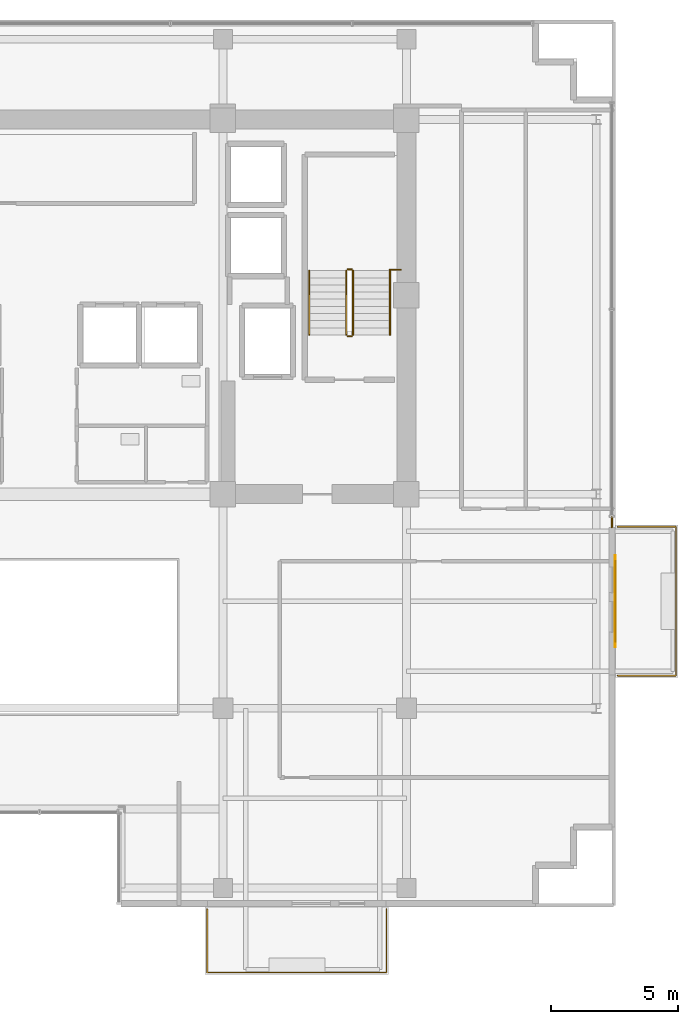
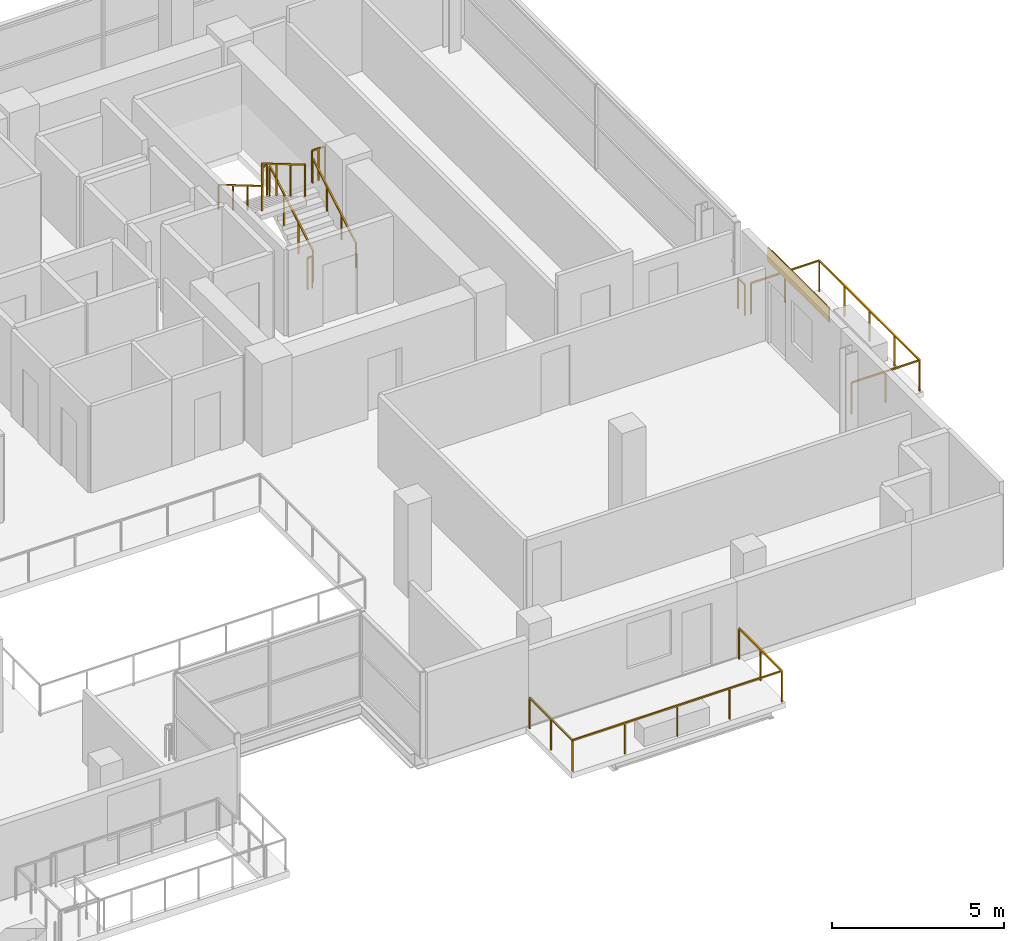
# One storey, part 22 of 23: 10 railings, 1 covering, 1 shading device.
"""IFC4 building model written with IfcOpenShell, lengths in metres."""

from ifc_helpers import new_model, si_unit, direction, frame, origin, origin_2d, place, context, subcontext, project, spatial, rectangle, extrude, source, transform, mapped, material, layer, layer_set, type_object, element, save


model = new_model("IFC4")

# Units and contexts
model_context = context("Model", 3, precision=1e-05, world=origin(), true_north=direction((0.0, 1.0)))
body_context = subcontext(model_context, "Body", "Model", "MODEL_VIEW")
ifc_project = project(units=[si_unit("LENGTHUNIT", "METRE"), si_unit("AREAUNIT", "SQUARE_METRE"), si_unit("VOLUMEUNIT", "CUBIC_METRE"), si_unit("PLANEANGLEUNIT", "RADIAN"), si_unit("MASSUNIT", "GRAM", prefix="KILO")], contexts=[model_context])

# Site, building, storey
site_placement = place(None, origin())
site = spatial("IfcSite", under=ifc_project, at=site_placement, CompositionType="ELEMENT")
building_placement = place(site_placement, origin())
building = spatial("IfcBuilding", under=site, at=building_placement, Name="Zarnakvel Exchange Tower", CompositionType="ELEMENT")
storey_placement = place(building_placement, frame((0.0, 0.0, 149.5)))
storey = spatial("IfcBuildingStorey", under=building, at=storey_placement, Name="L41", CompositionType="ELEMENT", Elevation=149.5)

# Railings
ifc_material_1 = material(Name="Architectural Bronze Anodised Aluminium", Category="aluminium")
railing_type_1 = type_object("IfcRailingType", Name="GR-02", PredefinedType="GUARDRAIL", material=ifc_material_1)
railing_1_placement = place(storey_placement, frame((6.580078125, -17.47998046875, -0.034912109375)))
element("IfcRailing", 1, at=railing_1_placement, inside=storey, type_object=railing_type_1, Name="L41 Balcony Guardrail BAL-L41-SE", PredefinedType="GUARDRAIL", context=body_context, shape_type="SweptSolid", body=[
    extrude(rectangle(XDim=0.048095703125, YDim=0.048095703125, at=origin_2d()), frame((0.0, 0.0, 1.09619140625), z_axis=(0.0, -1.0, 0.0), x_axis=(1.0, 0.0, 0.0)), (0.0, 0.0, 1.0), 2.489990234375),
    extrude(rectangle(XDim=0.048095703125, YDim=0.048095703125, at=origin_2d()), frame((0.0, -2.489990234375, 1.09619140625), z_axis=(1.0, 0.0, 0.0), x_axis=(0.0, 1.0, 0.0)), (0.0, 0.0, 1.0), 7.0400390625),
    extrude(rectangle(XDim=0.048095703125, YDim=0.048095703125, at=origin_2d()), frame((7.0400390625, -2.489990234375, 1.09619140625), z_axis=(0.0, 1.0, 0.0), x_axis=(-1.0, 0.0, 0.0)), (0.0, 0.0, 1.0), 2.489990234375),
    extrude(rectangle(XDim=0.0419921875, YDim=0.0419921875, at=origin_2d()), origin(), (0.0, 0.0, 1.0), 1.072021484375),
    extrude(rectangle(XDim=0.0419921875, YDim=0.0419921875, at=origin_2d()), frame((0.0, -1.2451171875, 0.0)), (0.0, 0.0, 1.0), 1.072021484375),
    extrude(rectangle(XDim=0.0419921875, YDim=0.0419921875, at=origin_2d()), frame((0.0, -2.489990234375, 0.0)), (0.0, 0.0, 1.0), 1.072021484375),
    extrude(rectangle(XDim=0.0419921875, YDim=0.0419921875, at=origin_2d()), frame((1.760009765625, -2.489990234375, 0.0)), (0.0, 0.0, 1.0), 1.072021484375),
    extrude(rectangle(XDim=0.0419921875, YDim=0.0419921875, at=origin_2d()), frame((3.52001953125, -2.489990234375, 0.0)), (0.0, 0.0, 1.0), 1.072021484375),
    extrude(rectangle(XDim=0.0419921875, YDim=0.0419921875, at=origin_2d()), frame((5.280029296875, -2.489990234375, 0.0)), (0.0, 0.0, 1.0), 1.072021484375),
    extrude(rectangle(XDim=0.0419921875, YDim=0.0419921875, at=origin_2d()), frame((7.0400390625, -2.489990234375, 0.0)), (0.0, 0.0, 1.0), 1.072021484375),
    extrude(rectangle(XDim=0.0419921875, YDim=0.0419921875, at=origin_2d()), frame((7.0400390625, -1.2451171875, 0.0)), (0.0, 0.0, 1.0), 1.072021484375),
    extrude(rectangle(XDim=0.0419921875, YDim=0.0419921875, at=origin_2d()), frame((7.0400390625, 0.0, 0.0)), (0.0, 0.0, 1.0), 1.072021484375),
])
railing_2_placement = place(storey_placement, frame((22.679931640625, -8.320068359375, -0.034912109375)))
element("IfcRailing", 2, at=railing_2_placement, inside=storey, type_object=railing_type_1, Name="L41 Balcony Guardrail BAL-L41-E", PredefinedType="GUARDRAIL", context=body_context, shape_type="SweptSolid", body=[
    extrude(rectangle(XDim=0.048095703125, YDim=0.048095703125, at=origin_2d()), frame((0.0, 0.0, 1.09619140625), z_axis=(1.0, 0.0, 0.0), x_axis=(0.0, 1.0, 0.0)), (0.0, 0.0, 1.0), 2.2900390625),
    extrude(rectangle(XDim=0.048095703125, YDim=0.048095703125, at=origin_2d()), frame((2.2900390625, 0.0, 1.09619140625), z_axis=(0.0, 1.0, 0.0), x_axis=(-1.0, 0.0, 0.0)), (0.0, 0.0, 1.0), 5.840087890625),
    extrude(rectangle(XDim=0.048095703125, YDim=0.048095703125, at=origin_2d()), frame((2.2900390625, 5.840087890625, 1.09619140625), z_axis=(-1.0, 0.0, 0.0), x_axis=(0.0, -1.0, 0.0)), (0.0, 0.0, 1.0), 2.2900390625),
    extrude(rectangle(XDim=0.0419921875, YDim=0.0419921875, at=origin_2d()), origin(), (0.0, 0.0, 1.0), 1.072021484375),
    extrude(rectangle(XDim=0.0419921875, YDim=0.0419921875, at=origin_2d()), frame((1.14501953125, 0.0, 0.0)), (0.0, 0.0, 1.0), 1.072021484375),
    extrude(rectangle(XDim=0.0419921875, YDim=0.0419921875, at=origin_2d()), frame((2.2900390625, 0.0, 0.0)), (0.0, 0.0, 1.0), 1.072021484375),
    extrude(rectangle(XDim=0.0419921875, YDim=0.0419921875, at=origin_2d()), frame((2.2900390625, 1.4599609375, 0.0)), (0.0, 0.0, 1.0), 1.072021484375),
    extrude(rectangle(XDim=0.0419921875, YDim=0.0419921875, at=origin_2d()), frame((2.2900390625, 2.919921875, 0.0)), (0.0, 0.0, 1.0), 1.072021484375),
    extrude(rectangle(XDim=0.0419921875, YDim=0.0419921875, at=origin_2d()), frame((2.2900390625, 4.380126953125, 0.0)), (0.0, 0.0, 1.0), 1.072021484375),
    extrude(rectangle(XDim=0.0419921875, YDim=0.0419921875, at=origin_2d()), frame((2.2900390625, 5.840087890625, 0.0)), (0.0, 0.0, 1.0), 1.072021484375),
    extrude(rectangle(XDim=0.0419921875, YDim=0.0419921875, at=origin_2d()), frame((1.14501953125, 5.840087890625, 0.0)), (0.0, 0.0, 1.0), 1.072021484375),
    extrude(rectangle(XDim=0.0419921875, YDim=0.0419921875, at=origin_2d()), frame((0.0, 5.840087890625, 0.0)), (0.0, 0.0, 1.0), 1.072021484375),
])
railing_3_placement = place(storey_placement, frame((22.4599609375, -2.10009765625, 0.0)))
element("IfcRailing", 3, at=railing_3_placement, inside=storey, type_object=railing_type_1, Name="L41 Corner Spandrel Balustrade #9", PredefinedType="GUARDRAIL", context=body_context, shape_type="SweptSolid", body=[
    extrude(rectangle(XDim=0.048095703125, YDim=0.048095703125, at=origin_2d()), frame((0.0, 0.0, 1.09619140625), z_axis=(0.0, -1.0, 0.0), x_axis=(1.0, 0.0, 0.0)), (0.0, 0.0, 1.0), 0.39990234375),
    extrude(rectangle(XDim=0.0419921875, YDim=0.0419921875, at=origin_2d()), origin(), (0.0, 0.0, 1.0), 1.072021484375),
    extrude(rectangle(XDim=0.0419921875, YDim=0.0419921875, at=origin_2d()), frame((0.0, -0.39990234375, 0.0)), (0.0, 0.0, 1.0), 1.072021484375),
])
ifc_material_2 = material(Name="Brushed Stainless Steel", Category="steel")
railing_type_2 = type_object("IfcRailingType", Name="HR-01", PredefinedType="HANDRAIL", material=ifc_material_2)
railing_4_placement = place(storey_placement, frame((13.75, 5.050048828125, 0.1650390625)))
element("IfcRailing", 4, at=railing_4_placement, inside=storey, type_object=railing_type_2, Name="L41 ST-02 stair handrail 1", PredefinedType="HANDRAIL", context=body_context, shape_type="SweptSolid", body=[
    extrude(rectangle(XDim=0.048095703125, YDim=0.048095703125, at=origin_2d()), frame((0.0, 0.0, 0.8759765625), z_axis=(0.0, 0.861560626758, 0.507654692109), x_axis=(-1.0, 0.0, 0.0)), (0.0, 0.0, 1.0), 2.925048828125),
    extrude(rectangle(XDim=0.0419921875, YDim=0.0419921875, at=origin_2d()), origin(), (0.0, 0.0, 1.0), 0.851806640625),
    extrude(rectangle(XDim=0.0419921875, YDim=0.0419921875, at=origin_2d()), frame((0.0, 0.840087890625, 0.494873046875)), (0.0, 0.0, 1.0), 0.851806640625),
    extrude(rectangle(XDim=0.0419921875, YDim=0.0419921875, at=origin_2d()), frame((0.0, 1.679931640625, 0.989990234375)), (0.0, 0.0, 1.0), 0.851806640625),
    extrude(rectangle(XDim=0.0419921875, YDim=0.0419921875, at=origin_2d()), frame((0.0, 2.52001953125, 1.48486328125)), (0.0, 0.0, 1.0), 0.851806640625),
])
railing_5_placement = place(storey_placement, frame((10.590087890625, 7.570068359375, 1.81494140625)))
element("IfcRailing", 5, at=railing_5_placement, inside=storey, type_object=railing_type_2, Name="L41 ST-02 stair handrail 2", PredefinedType="HANDRAIL", context=body_context, shape_type="SweptSolid", body=[
    extrude(rectangle(XDim=0.048095703125, YDim=0.048095703125, at=origin_2d()), frame((0.0, 0.0, 0.8759765625), z_axis=(0.0, -0.86152411907, 0.507716645641), x_axis=(1.0, 0.0, 0.0)), (0.0, 0.0, 1.0), 2.925048828125),
    extrude(rectangle(XDim=0.0419921875, YDim=0.0419921875, at=origin_2d()), origin(), (0.0, 0.0, 1.0), 0.851806640625),
    extrude(rectangle(XDim=0.0419921875, YDim=0.0419921875, at=origin_2d()), frame((0.0, -0.840087890625, 0.4951171875)), (0.0, 0.0, 1.0), 0.851806640625),
    extrude(rectangle(XDim=0.0419921875, YDim=0.0419921875, at=origin_2d()), frame((0.0, -1.679931640625, 0.989990234375)), (0.0, 0.0, 1.0), 0.851806640625),
    extrude(rectangle(XDim=0.0419921875, YDim=0.0419921875, at=origin_2d()), frame((0.0, -2.52001953125, 1.485107421875)), (0.0, 0.0, 1.0), 0.851806640625),
])
railing_type_3 = type_object("IfcRailingType", Name="SG-01", PredefinedType="GUARDRAIL", material=ifc_material_1)
railing_6_placement = place(storey_placement, frame((12.300048828125, 5.050048828125, 0.1650390625)))
element("IfcRailing", 6, at=railing_6_placement, inside=storey, type_object=railing_type_3, Name="L41 ST-02 stair guard 1", PredefinedType="GUARDRAIL", context=body_context, shape_type="SweptSolid", body=[
    extrude(rectangle(XDim=0.048095703125, YDim=0.048095703125, at=origin_2d()), frame((0.0, 0.0, 1.1259765625), z_axis=(0.0, 0.861560626758, 0.507654692109), x_axis=(-1.0, 0.0, 0.0)), (0.0, 0.0, 1.0), 2.925048828125),
    extrude(rectangle(XDim=0.0419921875, YDim=0.0419921875, at=origin_2d()), origin(), (0.0, 0.0, 1.0), 1.101806640625),
    extrude(rectangle(XDim=0.0419921875, YDim=0.0419921875, at=origin_2d()), frame((0.0, 0.840087890625, 0.494873046875)), (0.0, 0.0, 1.0), 1.101806640625),
    extrude(rectangle(XDim=0.0419921875, YDim=0.0419921875, at=origin_2d()), frame((0.0, 1.679931640625, 0.989990234375)), (0.0, 0.0, 1.0), 1.101806640625),
    extrude(rectangle(XDim=0.0419921875, YDim=0.0419921875, at=origin_2d()), frame((0.0, 2.52001953125, 1.48486328125)), (0.0, 0.0, 1.0), 1.101806640625),
])
railing_7_placement = place(storey_placement, frame((12.25, 7.6201171875, 1.64990234375)))
element("IfcRailing", 7, at=railing_7_placement, inside=storey, type_object=railing_type_3, Name="L41 ST-02 stair guard 2", PredefinedType="GUARDRAIL", context=body_context, shape_type="SweptSolid", body=[
    extrude(rectangle(XDim=0.048095703125, YDim=0.048095703125, at=origin_2d()), frame((0.0, 0.0, 1.1259765625), z_axis=(-1.0, 0.0, 0.0), x_axis=(0.0, -1.0, 0.0)), (0.0, 0.0, 1.0), 0.159912109375),
    extrude(rectangle(XDim=0.0419921875, YDim=0.0419921875, at=origin_2d()), origin(), (0.0, 0.0, 1.0), 1.101806640625),
    extrude(rectangle(XDim=0.0419921875, YDim=0.0419921875, at=origin_2d()), frame((-0.159912109375, 0.0, 0.0)), (0.0, 0.0, 1.0), 1.101806640625),
])
railing_8_placement = place(storey_placement, frame((12.0400390625, 7.570068359375, 1.81494140625)))
element("IfcRailing", 8, at=railing_8_placement, inside=storey, type_object=railing_type_3, Name="L41 ST-02 stair guard 3", PredefinedType="GUARDRAIL", context=body_context, shape_type="SweptSolid", body=[
    extrude(rectangle(XDim=0.048095703125, YDim=0.048095703125, at=origin_2d()), frame((0.0, 0.0, 1.1259765625), z_axis=(0.0, -0.86152411907, 0.507716645641), x_axis=(1.0, 0.0, 0.0)), (0.0, 0.0, 1.0), 2.925048828125),
    extrude(rectangle(XDim=0.0419921875, YDim=0.0419921875, at=origin_2d()), origin(), (0.0, 0.0, 1.0), 1.101806640625),
    extrude(rectangle(XDim=0.0419921875, YDim=0.0419921875, at=origin_2d()), frame((0.0, -0.840087890625, 0.4951171875)), (0.0, 0.0, 1.0), 1.101806640625),
    extrude(rectangle(XDim=0.0419921875, YDim=0.0419921875, at=origin_2d()), frame((0.0, -1.679931640625, 0.989990234375)), (0.0, 0.0, 1.0), 1.101806640625),
    extrude(rectangle(XDim=0.0419921875, YDim=0.0419921875, at=origin_2d()), frame((0.0, -2.52001953125, 1.485107421875)), (0.0, 0.0, 1.0), 1.101806640625),
])
railing_9_placement = place(storey_placement, frame((12.25, 5.0, 0.0)))
element("IfcRailing", 9, at=railing_9_placement, inside=storey, type_object=railing_type_3, Name="L41 ST-02 stair guard 4", PredefinedType="GUARDRAIL", context=body_context, shape_type="SweptSolid", body=[
    extrude(rectangle(XDim=0.048095703125, YDim=0.048095703125, at=origin_2d()), frame((0.0, 0.0, 1.1259765625), z_axis=(-1.0, 0.0, 0.0), x_axis=(0.0, -1.0, 0.0)), (0.0, 0.0, 1.0), 0.159912109375),
    extrude(rectangle(XDim=0.0419921875, YDim=0.0419921875, at=origin_2d()), origin(), (0.0, 0.0, 1.0), 1.101806640625),
    extrude(rectangle(XDim=0.0419921875, YDim=0.0419921875, at=origin_2d()), frame((-0.159912109375, 0.0, 0.0)), (0.0, 0.0, 1.0), 1.101806640625),
])
railing_10_placement = place(storey_placement, frame((13.75, 7.610107421875, 1.64990234375)))
element("IfcRailing", 10, at=railing_10_placement, inside=storey, type_object=railing_type_3, Name="L41 ST-02 Landing Slot Guardrail", PredefinedType="GUARDRAIL", context=body_context, shape_type="SweptSolid", body=[
    extrude(rectangle(XDim=0.048095703125, YDim=0.048095703125, at=origin_2d()), frame((0.0, 0.0, 1.1259765625), z_axis=(1.0, 0.0, 0.0), x_axis=(0.0, 1.0, 0.0)), (0.0, 0.0, 1.0), 0.429931640625),
    extrude(rectangle(XDim=0.0419921875, YDim=0.0419921875, at=origin_2d()), origin(), (0.0, 0.0, 1.0), 1.101806640625),
    extrude(rectangle(XDim=0.0419921875, YDim=0.0419921875, at=origin_2d()), frame((0.21484375, 0.0, 0.0)), (0.0, 0.0, 1.0), 1.101806640625),
    extrude(rectangle(XDim=0.0419921875, YDim=0.0419921875, at=origin_2d()), frame((0.429931640625, 0.0, 0.0)), (0.0, 0.0, 1.0), 1.101806640625),
])

# Shading device
ifc_material_3 = material(Name="Perforated Architectural Bronze Screen", Category="aluminium")
ifc_layer_1 = layer(ifc_material_3, 0.044921875)
ifc_layer_set_1 = layer_set([ifc_layer_1], Name="Perforated Architectural Bronze Screen")
shading_device_type = type_object("IfcShadingDeviceType", Name="SS-01", PredefinedType="JALOUSIE", material=ifc_layer_set_1)
shared_shape_1 = source(origin(), body_context, "Body", "SweptSolid", [
    extrude(rectangle(XDim=3.199951171875, YDim=0.044921875, at=origin_2d()), origin(), (0.0, 0.0, 1.0), 0.4951171875),
])
shading_device_placement = place(storey_placement, frame((22.6005859375, -5.39990234375, 2.56005859375), z_axis=(0.0, 0.0, 1.0), x_axis=(0.0, -1.0, 0.0)))
element("IfcShadingDevice", 11, at=shading_device_placement, inside=storey, type_object=shading_device_type, Name="L41 Bronze Solar Shading Screen SS-01", PredefinedType="JALOUSIE", context=body_context, shape_type="MappedRepresentation", body=[
    mapped(shared_shape_1, transform((0.0, 0.0, 0.0), x_axis=(1.0, 0.0, 0.0), y_axis=(0.0, 1.0, 0.0), z_axis=(0.0, 0.0, 1.0), scale=1.0)),
])

# Covering
ifc_material_4 = material(Name="Glazed Turquoise Ceramic Architectural Tile", Category="ceramic")
ifc_layer_2 = layer(ifc_material_4, 0.028076171875)
ifc_layer_set_2 = layer_set([ifc_layer_2], Name="Glazed Turquoise Ceramic Architectural Tile")
covering_type = type_object("IfcCoveringType", Name="CL-01", PredefinedType="CLADDING", material=ifc_layer_set_2)
shared_shape_2 = source(origin(), body_context, "Body", "SweptSolid", [
    extrude(rectangle(XDim=3.60009765625, YDim=0.028076171875, at=origin_2d()), origin(), (0.0, 0.0, 1.0), 0.4951171875),
])
covering_placement = place(storey_placement, frame((22.592041015625, -5.39990234375, 2.56005859375), z_axis=(0.0, 0.0, 1.0), x_axis=(0.0, -1.0, 0.0)))
element("IfcCovering", 12, at=covering_placement, inside=storey, type_object=covering_type, Name="L41 Ceramic Spandrel Tilework CL-01", PredefinedType="CLADDING", context=body_context, shape_type="MappedRepresentation", body=[
    mapped(shared_shape_2, transform((0.0, 0.0, 0.0), x_axis=(1.0, 0.0, 0.0), y_axis=(0.0, 1.0, 0.0), z_axis=(0.0, 0.0, 1.0), scale=1.0)),
])

save(model, "model.ifc")
